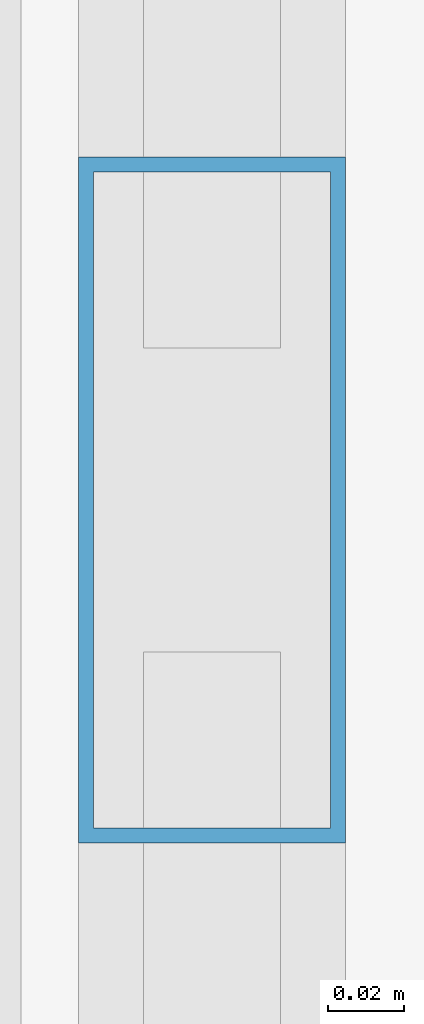
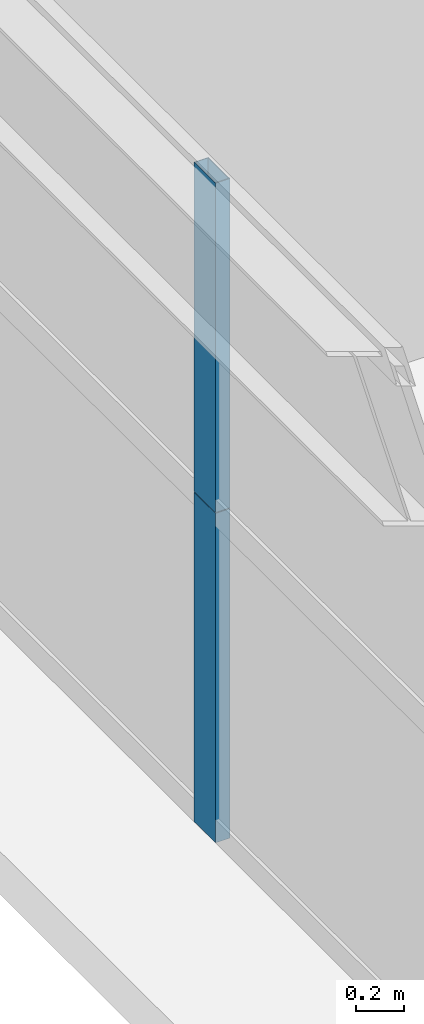
# One storey, part 9 of 43: 2 members, 1 element without a shape of its own.
"""IFC4 building model written with IfcOpenShell, lengths in metres."""

from ifc_helpers import new_model, si_unit, direction, frame, origin, origin_2d, place, context, subcontext, project, spatial, hollow_rectangle, extrude, source, transform, mapped, material, layer, layer_set, material_profile, profile_set, type_object, element, aggregate, save


model = new_model("IFC4")

# Units and contexts
model_context = context("Model", 3, precision=1e-05, world=origin(), true_north=direction((0.0, 1.0)))
body_context = subcontext(model_context, "Body", "Model", "MODEL_VIEW")
ifc_project = project(units=[si_unit("LENGTHUNIT", "METRE"), si_unit("AREAUNIT", "SQUARE_METRE"), si_unit("VOLUMEUNIT", "CUBIC_METRE"), si_unit("PLANEANGLEUNIT", "RADIAN"), si_unit("MASSUNIT", "GRAM", prefix="KILO"), si_unit("THERMODYNAMICTEMPERATUREUNIT", "KELVIN"), si_unit("POWERUNIT", "WATT")], contexts=[model_context])

# Site, building, storey
site_placement = place(None, origin())
site = spatial("IfcSite", under=ifc_project, at=site_placement, CompositionType="ELEMENT")
building_placement = place(site_placement, origin())
building = spatial("IfcBuilding", under=site, at=building_placement, Name="Yuzanri Waterfront Tower", CompositionType="ELEMENT")
storey_placement = place(building_placement, frame((0.0, 0.0, 60.39990234375)))
storey = spatial("IfcBuildingStorey", under=building, at=storey_placement, Name="L15", CompositionType="ELEMENT", Elevation=60.39990234375)

# Curtain wall, members
ifc_material_1 = material(Name="Anodized Architectural Bronze", Category="metal")
ifc_layer = layer(ifc_material_1, 0.159912109375)
ifc_layer_set = layer_set([ifc_layer], Name="Anodized Architectural Bronze")
curtain_wall_type = type_object("IfcCurtainWallType", Name="Anodized Bronze Hotel Lower-Tier Recessed Unitized Curtain Wall 8100", PredefinedType="NOTDEFINED", material=ifc_layer_set)
curtain_wall_placement = place(storey_placement, origin())
curtain_wall = element("IfcCurtainWall", 1, at=curtain_wall_placement, inside=storey, type_object=curtain_wall_type, Name="L15 Curtain Wall CW-L15-WL", PredefinedType="NOTDEFINED")
ifc_material_2 = material(Name="Anodized Architectural Bronze", Category="metal")
ifc_material_profile = material_profile(ifc_material_2, hollow_rectangle(XDim=0.070068359375, YDim=0.179931640625, WallThickness=0.00390625, at=origin_2d()), Name="CWM 70x180")
ifc_profile_set = profile_set([ifc_material_profile], Name="Anodized Architectural Bronze")
member_type = type_object("IfcMemberType", Name="Anodized Bronze Standard Curtain-Wall Mullion 70x180", PredefinedType="MULLION", material=ifc_profile_set)
shared_shape = source(origin(), body_context, "Body", "SweptSolid", [
    extrude(hollow_rectangle(XDim=0.070068359375, YDim=0.179931640625, WallThickness=0.00390625, at=origin_2d()), origin(), (0.0, 0.0, 1.0), 1.68798828125),
])
member_1_placement = place(storey_placement, frame((12.050048828125, 16.699951171875, 0.0), z_axis=(0.0, 0.0, 1.0), x_axis=(1.0, 0.0, 0.0)))
member_1 = element("IfcMember", 2, at=member_1_placement, type_object=member_type, Name="CW-L15-WL Lower Mullion 01", PredefinedType="MULLION", context=body_context, shape_type="MappedRepresentation", body=[
    mapped(shared_shape, transform((0.0, 0.0, 0.0), scale=1.0)),
])
member_2_placement = place(storey_placement, frame((12.050048828125, 16.699951171875, 1.692138671875), z_axis=(0.0, 0.0, 1.0), x_axis=(1.0, 0.0, 0.0)))
member_2 = element("IfcMember", 3, at=member_2_placement, type_object=member_type, Name="CW-L15-WL Upper Mullion 01", PredefinedType="MULLION", context=body_context, shape_type="MappedRepresentation", body=[
    mapped(shared_shape, transform((0.0, 0.0, 0.0), scale=1.0)),
])
aggregate(curtain_wall, [member_1, member_2])

save(model, "model.ifc")
